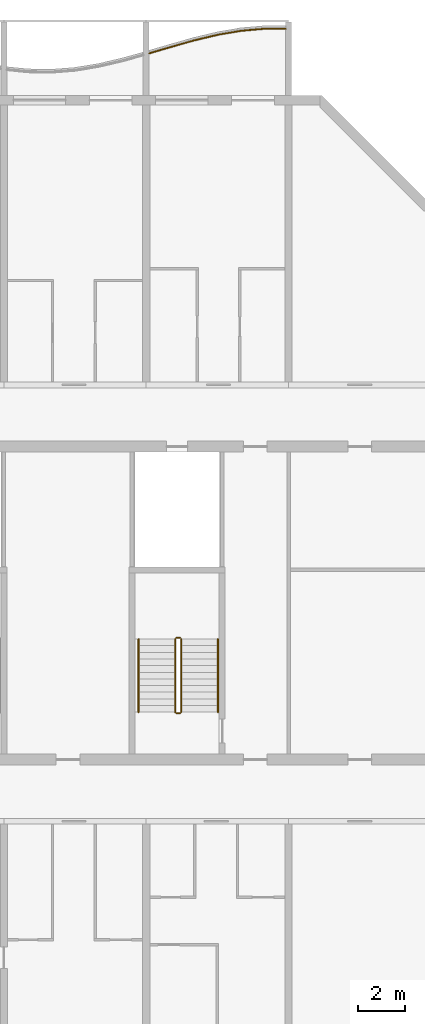
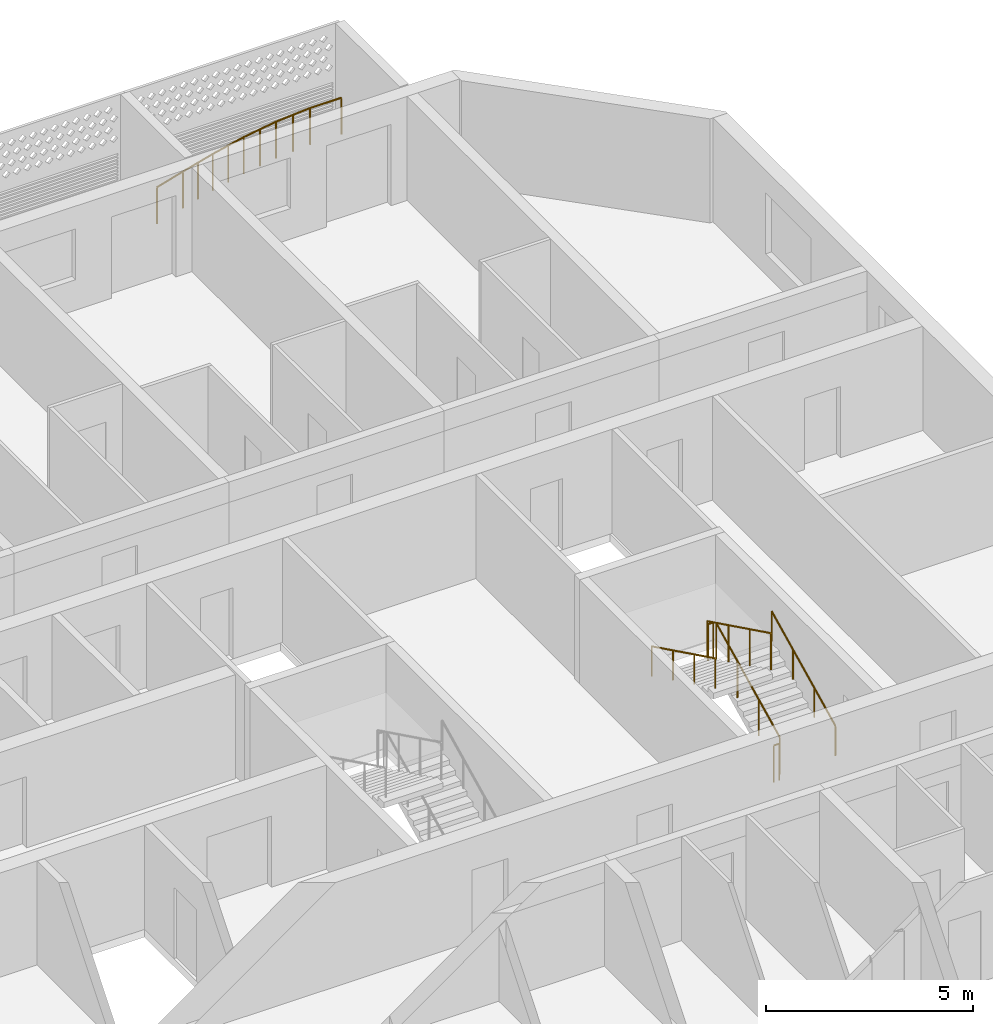
# One storey, part 32 of 33: 7 railings.
"""IFC4 building model written with IfcOpenShell, lengths in metres."""

from ifc_helpers import new_model, si_unit, direction, frame, origin, origin_2d, place, context, subcontext, project, spatial, circle, extrude, material, type_object, element, save


model = new_model("IFC4")

# Units and contexts
model_context = context("Model", 3, precision=1e-05, world=origin(), true_north=direction((0.0, 1.0)))
body_context = subcontext(model_context, "Body", "Model", "MODEL_VIEW")
ifc_project = project(units=[si_unit("LENGTHUNIT", "METRE"), si_unit("AREAUNIT", "SQUARE_METRE"), si_unit("VOLUMEUNIT", "CUBIC_METRE"), si_unit("PLANEANGLEUNIT", "RADIAN"), si_unit("MASSUNIT", "GRAM", prefix="KILO")], contexts=[model_context])

# Site, building, storey
site_placement = place(None, origin())
site = spatial("IfcSite", under=ifc_project, at=site_placement, CompositionType="ELEMENT")
building_placement = place(site_placement, origin())
building = spatial("IfcBuilding", under=site, at=building_placement, Name="Poui Terraces", CompositionType="ELEMENT")
storey_placement = place(building_placement, frame((0.0, 0.0, 138.89990234375)))
storey = spatial("IfcBuildingStorey", under=building, at=storey_placement, Name="L38", CompositionType="ELEMENT", Elevation=138.89990234375)

# Railings
ifc_material_1 = material(Name="Painted steel fretwork", Category="steel")
railing_type_1 = type_object("IfcRailingType", Name="BALCONY GUARD 1100", PredefinedType="GUARDRAIL", material=ifc_material_1)
railing_1_placement = place(storey_placement, frame((78.125, 44.37109375, 0.0)))
element("IfcRailing", 1, at=railing_1_placement, inside=storey, type_object=railing_type_1, Name="BALCONY GUARD", PredefinedType="GUARDRAIL", context=body_context, shape_type="SweptSolid", body=[
    extrude(circle(Radius=0.02392578125, at=origin_2d()), frame((0.0, 0.0, 1.076171875), z_axis=(0.958573864065, 0.28484407512, 0.0), x_axis=(-0.28484407512, 0.958573864065, 0.0)), (0.0, 0.0, 1.0), 0.912841796875),
    extrude(circle(Radius=0.02392578125, at=origin_2d()), frame((0.875, 0.260009765625, 1.076171875), z_axis=(0.962282666556, 0.272051593719, 0.0), x_axis=(-0.272051593719, 0.962282666556, 0.0)), (0.0, 0.0, 1.0), 1.039306640625),
    extrude(circle(Radius=0.02392578125, at=origin_2d()), frame((1.875, 0.542724609375, 1.076171875), z_axis=(0.972497106951, 0.232914956523, 0.0), x_axis=(-0.232914956523, 0.972497106951, 0.0)), (0.0, 0.0, 1.0), 1.0283203125),
    extrude(circle(Radius=0.02392578125, at=origin_2d()), frame((2.875, 0.7822265625, 1.076171875), z_axis=(0.98554889076, 0.169391215599, 0.0), x_axis=(-0.169391215599, 0.98554889076, 0.0)), (0.0, 0.0, 1.0), 1.0146484375),
    extrude(circle(Radius=0.02392578125, at=origin_2d()), frame((3.875, 0.9541015625, 1.076171875), z_axis=(0.996286084847, 0.086104803231, 0.0), x_axis=(-0.086104803231, 0.996286084847, 0.0)), (0.0, 0.0, 1.0), 1.003662109375),
    extrude(circle(Radius=0.02392578125, at=origin_2d()), frame((4.875, 1.04052734375, 1.076171875), z_axis=(0.999998092657, -0.001953121275, 0.0), x_axis=(0.001953121275, 0.999998092657, 0.0)), (0.0, 0.0, 1.0), 0.875),
    extrude(circle(Radius=0.02099609375, at=origin_2d()), origin(), (0.0, 0.0, 1.0), 1.052001953125),
    extrude(circle(Radius=0.02099609375, at=origin_2d()), frame((0.875, 0.260009765625, 0.0)), (0.0, 0.0, 1.0), 1.052001953125),
    extrude(circle(Radius=0.02099609375, at=origin_2d()), frame((1.375, 0.4013671875, 0.0)), (0.0, 0.0, 1.0), 1.052001953125),
    extrude(circle(Radius=0.02099609375, at=origin_2d()), frame((1.875, 0.542724609375, 0.0)), (0.0, 0.0, 1.0), 1.052001953125),
    extrude(circle(Radius=0.02099609375, at=origin_2d()), frame((2.375, 0.66259765625, 0.0)), (0.0, 0.0, 1.0), 1.052001953125),
    extrude(circle(Radius=0.02099609375, at=origin_2d()), frame((2.875, 0.7822265625, 0.0)), (0.0, 0.0, 1.0), 1.052001953125),
    extrude(circle(Radius=0.02099609375, at=origin_2d()), frame((3.375, 0.8681640625, 0.0)), (0.0, 0.0, 1.0), 1.052001953125),
    extrude(circle(Radius=0.02099609375, at=origin_2d()), frame((3.875, 0.9541015625, 0.0)), (0.0, 0.0, 1.0), 1.052001953125),
    extrude(circle(Radius=0.02099609375, at=origin_2d()), frame((4.375, 0.997314453125, 0.0)), (0.0, 0.0, 1.0), 1.052001953125),
    extrude(circle(Radius=0.02099609375, at=origin_2d()), frame((4.875, 1.04052734375, 0.0)), (0.0, 0.0, 1.0), 1.052001953125),
    extrude(circle(Radius=0.02099609375, at=origin_2d()), frame((5.75, 1.038818359375, 0.0)), (0.0, 0.0, 1.0), 1.052001953125),
])
ifc_material_2 = material(Name="Galvanised steel balustrade", Category="steel")
railing_type_2 = type_object("IfcRailingType", Name="STAIR GUARD 1100", PredefinedType="GUARDRAIL", material=ifc_material_2)
railing_2_placement = place(storey_placement, frame((79.47509765625, 16.60009765625, 0.1376953125)))
element("IfcRailing", 2, at=railing_2_placement, inside=storey, type_object=railing_type_2, Name="L38 ST-E stair guard 1", PredefinedType="GUARDRAIL", context=body_context, shape_type="SweptSolid", body=[
    extrude(circle(Radius=0.02392578125, at=origin_2d()), frame((0.0, 0.0, 1.076171875), z_axis=(0.0, 0.897606190399, 0.440798283751), x_axis=(-1.0, 0.0, 0.0)), (0.0, 0.0, 1.0), 3.43115234375),
    extrude(circle(Radius=0.02099609375, at=origin_2d()), origin(), (0.0, 0.0, 1.0), 1.052001953125),
    extrude(circle(Radius=0.02099609375, at=origin_2d()), frame((0.0, 1.026611328125, 0.504150390625)), (0.0, 0.0, 1.0), 1.052001953125),
    extrude(circle(Radius=0.02099609375, at=origin_2d()), frame((0.0, 2.05322265625, 1.00830078125)), (0.0, 0.0, 1.0), 1.052001953125),
    extrude(circle(Radius=0.02099609375, at=origin_2d()), frame((0.0, 3.079833984375, 1.512451171875)), (0.0, 0.0, 1.0), 1.052001953125),
])
railing_3_placement = place(storey_placement, frame((79.425048828125, 19.72998046875, 1.650146484375)))
element("IfcRailing", 3, at=railing_3_placement, inside=storey, type_object=railing_type_2, Name="L38 ST-E stair guard 2", PredefinedType="GUARDRAIL", context=body_context, shape_type="SweptSolid", body=[
    extrude(circle(Radius=0.02392578125, at=origin_2d()), frame((0.0, 0.0, 1.076171875), z_axis=(-1.0, 0.0, 0.0), x_axis=(0.0, -1.0, 0.0)), (0.0, 0.0, 1.0), 0.150146484375),
    extrude(circle(Radius=0.02099609375, at=origin_2d()), origin(), (0.0, 0.0, 1.0), 1.052001953125),
    extrude(circle(Radius=0.02099609375, at=origin_2d()), frame((-0.150146484375, 0.0, 0.0)), (0.0, 0.0, 1.0), 1.052001953125),
])
railing_4_placement = place(storey_placement, frame((79.22509765625, 19.679931640625, 1.78759765625)))
element("IfcRailing", 4, at=railing_4_placement, inside=storey, type_object=railing_type_2, Name="L38 ST-E stair guard 3", PredefinedType="GUARDRAIL", context=body_context, shape_type="SweptSolid", body=[
    extrude(circle(Radius=0.02392578125, at=origin_2d()), frame((0.0, 0.0, 1.076171875), z_axis=(0.0, -0.897606190399, 0.440798283751), x_axis=(1.0, 0.0, 0.0)), (0.0, 0.0, 1.0), 3.43115234375),
    extrude(circle(Radius=0.02099609375, at=origin_2d()), origin(), (0.0, 0.0, 1.0), 1.052001953125),
    extrude(circle(Radius=0.02099609375, at=origin_2d()), frame((0.0, -1.026611328125, 0.504150390625)), (0.0, 0.0, 1.0), 1.052001953125),
    extrude(circle(Radius=0.02099609375, at=origin_2d()), frame((0.0, -2.05322265625, 1.00830078125)), (0.0, 0.0, 1.0), 1.052001953125),
    extrude(circle(Radius=0.02099609375, at=origin_2d()), frame((0.0, -3.079833984375, 1.512451171875)), (0.0, 0.0, 1.0), 1.052001953125),
])
railing_5_placement = place(storey_placement, frame((79.425048828125, 16.550048828125, 0.0)))
element("IfcRailing", 5, at=railing_5_placement, inside=storey, type_object=railing_type_2, Name="L38 ST-E stair guard 4", PredefinedType="GUARDRAIL", context=body_context, shape_type="SweptSolid", body=[
    extrude(circle(Radius=0.02392578125, at=origin_2d()), frame((0.0, 0.0, 1.076171875), z_axis=(-1.0, 0.0, 0.0), x_axis=(0.0, -1.0, 0.0)), (0.0, 0.0, 1.0), 0.150146484375),
    extrude(circle(Radius=0.02099609375, at=origin_2d()), origin(), (0.0, 0.0, 1.0), 1.052001953125),
    extrude(circle(Radius=0.02099609375, at=origin_2d()), frame((-0.150146484375, 0.0, 0.0)), (0.0, 0.0, 1.0), 1.052001953125),
])
ifc_material_3 = material(Name="Stainless steel handrail", Category="steel")
railing_type_3 = type_object("IfcRailingType", Name="STAIR HANDRAIL 900", PredefinedType="HANDRAIL", material=ifc_material_3)
railing_6_placement = place(storey_placement, frame((81.02490234375, 16.60009765625, 0.1376953125)))
element("IfcRailing", 6, at=railing_6_placement, inside=storey, type_object=railing_type_3, Name="L38 ST-E stair handrail 1", PredefinedType="HANDRAIL", context=body_context, shape_type="SweptSolid", body=[
    extrude(circle(Radius=0.02392578125, at=origin_2d()), frame((0.0, 0.0, 0.8759765625), z_axis=(0.0, 0.897606190399, 0.440798283751), x_axis=(-1.0, 0.0, 0.0)), (0.0, 0.0, 1.0), 3.43115234375),
    extrude(circle(Radius=0.02099609375, at=origin_2d()), origin(), (0.0, 0.0, 1.0), 0.851806640625),
    extrude(circle(Radius=0.02099609375, at=origin_2d()), frame((0.0, 1.026611328125, 0.504150390625)), (0.0, 0.0, 1.0), 0.851806640625),
    extrude(circle(Radius=0.02099609375, at=origin_2d()), frame((0.0, 2.05322265625, 1.00830078125)), (0.0, 0.0, 1.0), 0.851806640625),
    extrude(circle(Radius=0.02099609375, at=origin_2d()), frame((0.0, 3.079833984375, 1.512451171875)), (0.0, 0.0, 1.0), 0.851806640625),
])
railing_7_placement = place(storey_placement, frame((77.675048828125, 19.679931640625, 1.78759765625)))
element("IfcRailing", 7, at=railing_7_placement, inside=storey, type_object=railing_type_3, Name="L38 ST-E stair handrail 2", PredefinedType="HANDRAIL", context=body_context, shape_type="SweptSolid", body=[
    extrude(circle(Radius=0.02392578125, at=origin_2d()), frame((0.0, 0.0, 0.8759765625), z_axis=(0.0, -0.897606190399, 0.440798283751), x_axis=(1.0, 0.0, 0.0)), (0.0, 0.0, 1.0), 3.43115234375),
    extrude(circle(Radius=0.02099609375, at=origin_2d()), origin(), (0.0, 0.0, 1.0), 0.851806640625),
    extrude(circle(Radius=0.02099609375, at=origin_2d()), frame((0.0, -1.026611328125, 0.504150390625)), (0.0, 0.0, 1.0), 0.851806640625),
    extrude(circle(Radius=0.02099609375, at=origin_2d()), frame((0.0, -2.05322265625, 1.00830078125)), (0.0, 0.0, 1.0), 0.851806640625),
    extrude(circle(Radius=0.02099609375, at=origin_2d()), frame((0.0, -3.079833984375, 1.512451171875)), (0.0, 0.0, 1.0), 0.851806640625),
])

save(model, "model.ifc")
